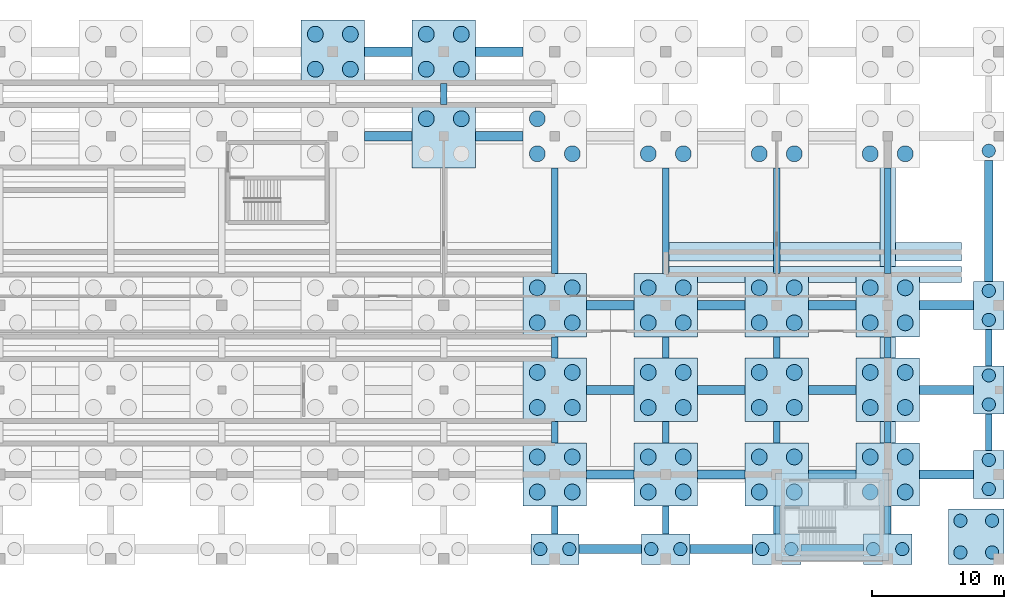
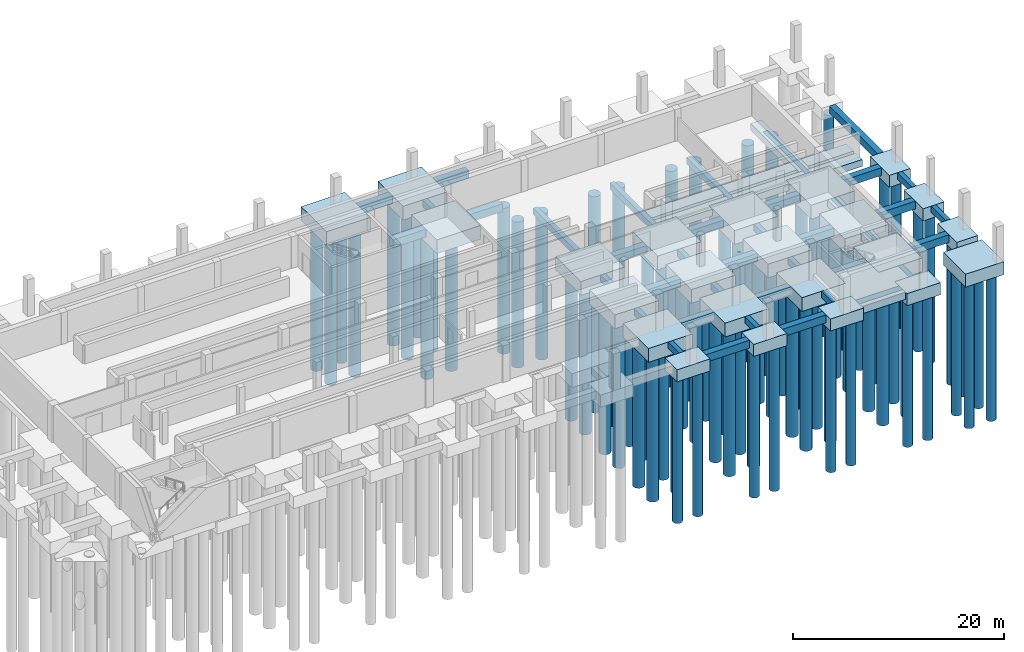
# One storey, part 3 of 9: 86 piles, 66 footings.
"""IFC4 building model written with IfcOpenShell, lengths in metres."""

from ifc_helpers import new_model, si_unit, direction, frame, origin, origin_2d, place, context, subcontext, project, spatial, polyline, rectangle, circle, outline, extrude, material, material_profile, profile_set, type_object, element, save


model = new_model("IFC4")

# Units and contexts
model_context = context("Model", 3, precision=1e-05, world=origin(), true_north=direction((0.0, 1.0)))
body_context = subcontext(model_context, "Body", "Model", "MODEL_VIEW")
ifc_project = project(units=[si_unit("LENGTHUNIT", "METRE"), si_unit("AREAUNIT", "SQUARE_METRE"), si_unit("VOLUMEUNIT", "CUBIC_METRE"), si_unit("PLANEANGLEUNIT", "RADIAN"), si_unit("MASSUNIT", "GRAM", prefix="KILO")], contexts=[model_context])

# Site, building, storey
site_placement = place(None, origin())
site = spatial("IfcSite", under=ifc_project, at=site_placement, CompositionType="ELEMENT")
building_placement = place(site_placement, origin())
building = spatial("IfcBuilding", under=site, at=building_placement, Name="Kazenagashi Tramway Depot", CompositionType="ELEMENT")
storey_placement = place(building_placement, frame((0.0, 0.0, -4.0)))
storey = spatial("IfcBuildingStorey", under=building, at=storey_placement, Name="B01", CompositionType="ELEMENT", Elevation=-4.0)

# Piles
ifc_material = material(Name="Concrete Fc30", Category="concrete")
ifc_material_profile_1 = material_profile(ifc_material, circle(Radius=0.5, at=origin_2d()), Name="PILE-1000")
ifc_profile_set_1 = profile_set([ifc_material_profile_1], Name="Concrete Fc30")
pile_type_1 = type_object("IfcPileType", Name="BP-01", PredefinedType="BORED", material=ifc_profile_set_1)
for number, where, z_axis, x_axis, name in (
    (1, (110.9, 17.25, -1.9), (0.0, 0.0, -1.0), (1.0, 0.0, 0.0), "Bored Pile BP-01 PILE-0377"),
    (2, (113.1, 17.25, -1.9), (0.0, 0.0, -1.0), (1.0, 0.0, 0.0), "Bored Pile BP-01 PILE-0378"),
    (3, (119.3, 17.25, -1.9), (0.0, 0.0, -1.0), (1.0, 0.0, 0.0), "Bored Pile BP-01 PILE-0399"),
    (4, (121.5, 17.25, -1.9), (0.0, 0.0, -1.0), (1.0, 0.0, 0.0), "Bored Pile BP-01 PILE-0400"),
    (5, (127.7, 17.25, -1.9), (0.0, 0.0, -1.0), (1.0, 0.0, 0.0), "Bored Pile BP-01 PILE-0421"),
    (6, (129.9, 17.25, -1.9), (0.0, 0.0, -1.0), (1.0, 0.0, 0.0), "Bored Pile BP-01 PILE-0422"),
    (7, (136.1, 17.25, -1.9), (0.0, 0.0, -1.0), (1.0, 0.0, 0.0), "Bored Pile BP-01 PILE-0443"),
    (8, (138.3, 17.25, -1.9), (0.0, 0.0, -1.0), (1.0, 0.0, 0.0), "Bored Pile BP-01 PILE-0444"),
):
    element("IfcPile", number, at=place(storey_placement, frame(where, z_axis=z_axis, x_axis=x_axis)), inside=storey, type_object=pile_type_1, Name=name, PredefinedType="BORED", context=body_context, shape_type="SweptSolid", body=[
        extrude(circle(Radius=0.5, at=origin_2d()), origin(), (0.0, 0.0, 1.0), 17.1),
    ])
for number, where, z_axis, x_axis, name in (
    (9, (142.7, 17.0, -2.0), (0.0, 0.0, -1.0), (1.0, 0.0, 0.0), "Bored Pile BP-01 PILE-0465"),
    (10, (145.1, 17.0, -2.0), (0.0, 0.0, -1.0), (1.0, 0.0, 0.0), "Bored Pile BP-01 PILE-0466"),
    (11, (142.7, 19.4, -2.0), (0.0, 0.0, -1.0), (1.0, 0.0, 0.0), "Bored Pile BP-01 PILE-0467"),
    (12, (145.1, 19.4, -2.0), (0.0, 0.0, -1.0), (1.0, 0.0, 0.0), "Bored Pile BP-01 PILE-0468"),
):
    element("IfcPile", number, at=place(storey_placement, frame(where, z_axis=z_axis, x_axis=x_axis)), inside=storey, type_object=pile_type_1, Name=name, PredefinedType="BORED", context=body_context, shape_type="SweptSolid", body=[
        extrude(circle(Radius=0.5, at=origin_2d()), origin(), (0.0, 0.0, 1.0), 17.0),
    ])
for number, where, z_axis, x_axis, name in (
    (13, (144.85, 21.8, -1.9), (0.0, 0.0, -1.0), (1.0, 0.0, 0.0), "Bored Pile BP-01 PILE-0469"),
    (14, (144.85, 24.0, -1.9), (0.0, 0.0, -1.0), (1.0, 0.0, 0.0), "Bored Pile BP-01 PILE-0470"),
    (15, (144.85, 28.2, -1.9), (0.0, 0.0, -1.0), (1.0, 0.0, 0.0), "Bored Pile BP-01 PILE-0471"),
    (16, (144.85, 30.4, -1.9), (0.0, 0.0, -1.0), (1.0, 0.0, 0.0), "Bored Pile BP-01 PILE-0472"),
    (17, (144.85, 34.6, -1.9), (0.0, 0.0, -1.0), (1.0, 0.0, 0.0), "Bored Pile BP-01 PILE-0473"),
    (18, (144.85, 36.8, -1.9), (0.0, 0.0, -1.0), (1.0, 0.0, 0.0), "Bored Pile BP-01 PILE-0474"),
    (19, (144.85, 47.4, -1.9), (0.0, 0.0, -1.0), (1.0, 0.0, 0.0), "Bored Pile BP-01 PILE-0477"),
):
    element("IfcPile", number, at=place(storey_placement, frame(where, z_axis=z_axis, x_axis=x_axis)), inside=storey, type_object=pile_type_1, Name=name, PredefinedType="BORED", context=body_context, shape_type="SweptSolid", body=[
        extrude(circle(Radius=0.5, at=origin_2d()), origin(), (0.0, 0.0, 1.0), 17.1),
    ])
ifc_material_profile_2 = material_profile(ifc_material, circle(Radius=0.6, at=origin_2d()), Name="PILE-1200")
ifc_profile_set_2 = profile_set([ifc_material_profile_2], Name="Concrete Fc30")
pile_type_2 = type_object("IfcPileType", Name="BP-02", PredefinedType="BORED", material=ifc_profile_set_2)
for number, where, z_axis, x_axis, name in (
    (20, (93.875, 53.575, -2.1), (0.0, 0.0, -1.0), (1.0, 0.0, 0.0), "Bored Pile BP-02 PILE-0347"),
    (21, (96.525, 53.575, -2.1), (0.0, 0.0, -1.0), (1.0, 0.0, 0.0), "Bored Pile BP-02 PILE-0348"),
    (22, (93.875, 56.225, -2.1), (0.0, 0.0, -1.0), (1.0, 0.0, 0.0), "Bored Pile BP-02 PILE-0349"),
    (23, (96.525, 56.225, -2.1), (0.0, 0.0, -1.0), (1.0, 0.0, 0.0), "Bored Pile BP-02 PILE-0350"),
    (24, (102.275, 53.575, -2.1), (0.0, 0.0, -1.0), (1.0, 0.0, 0.0), "Bored Pile BP-02 PILE-0369"),
    (25, (104.925, 53.575, -2.1), (0.0, 0.0, -1.0), (1.0, 0.0, 0.0), "Bored Pile BP-02 PILE-0370"),
    (26, (102.275, 56.225, -2.1), (0.0, 0.0, -1.0), (1.0, 0.0, 0.0), "Bored Pile BP-02 PILE-0371"),
    (27, (104.925, 56.225, -2.1), (0.0, 0.0, -1.0), (1.0, 0.0, 0.0), "Bored Pile BP-02 PILE-0372"),
    (28, (102.275, 49.825, -2.1), (0.0, 0.0, -1.0), (1.0, 0.0, 0.0), "Bored Pile BP-02 PILE-0375"),
    (29, (104.925, 49.825, -2.1), (0.0, 0.0, -1.0), (1.0, 0.0, 0.0), "Bored Pile BP-02 PILE-0376"),
    (30, (110.675, 21.575, -2.1), (0.0, 0.0, -1.0), (1.0, 0.0, 0.0), "Bored Pile BP-02 PILE-0379"),
    (31, (113.325, 21.575, -2.1), (0.0, 0.0, -1.0), (1.0, 0.0, 0.0), "Bored Pile BP-02 PILE-0380"),
    (32, (110.675, 24.225, -2.1), (0.0, 0.0, -1.0), (1.0, 0.0, 0.0), "Bored Pile BP-02 PILE-0381"),
    (33, (113.325, 24.225, -2.1), (0.0, 0.0, -1.0), (1.0, 0.0, 0.0), "Bored Pile BP-02 PILE-0382"),
    (34, (110.675, 27.975, -2.1), (0.0, 0.0, -1.0), (1.0, 0.0, 0.0), "Bored Pile BP-02 PILE-0383"),
    (35, (113.325, 27.975, -2.1), (0.0, 0.0, -1.0), (1.0, 0.0, 0.0), "Bored Pile BP-02 PILE-0384"),
    (36, (110.675, 30.625, -2.1), (0.0, 0.0, -1.0), (1.0, 0.0, 0.0), "Bored Pile BP-02 PILE-0385"),
    (37, (113.325, 30.625, -2.1), (0.0, 0.0, -1.0), (1.0, 0.0, 0.0), "Bored Pile BP-02 PILE-0386"),
    (38, (110.675, 34.375, -2.1), (0.0, 0.0, -1.0), (1.0, 0.0, 0.0), "Bored Pile BP-02 PILE-0387"),
    (39, (113.325, 34.375, -2.1), (0.0, 0.0, -1.0), (1.0, 0.0, 0.0), "Bored Pile BP-02 PILE-0388"),
    (40, (110.675, 37.025, -2.1), (0.0, 0.0, -1.0), (1.0, 0.0, 0.0), "Bored Pile BP-02 PILE-0389"),
    (41, (113.325, 37.025, -2.1), (0.0, 0.0, -1.0), (1.0, 0.0, 0.0), "Bored Pile BP-02 PILE-0390"),
    (42, (110.675, 47.175, -2.1), (0.0, 0.0, -1.0), (1.0, 0.0, 0.0), "Bored Pile BP-02 PILE-0395"),
    (43, (113.325, 47.175, -2.1), (0.0, 0.0, -1.0), (1.0, 0.0, 0.0), "Bored Pile BP-02 PILE-0396"),
    (44, (110.675, 49.825, -2.1), (0.0, 0.0, -1.0), (1.0, 0.0, 0.0), "Bored Pile BP-02 PILE-0397"),
    (45, (119.075, 21.575, -2.1), (0.0, 0.0, -1.0), (1.0, 0.0, 0.0), "Bored Pile BP-02 PILE-0401"),
    (46, (121.725, 21.575, -2.1), (0.0, 0.0, -1.0), (1.0, 0.0, 0.0), "Bored Pile BP-02 PILE-0402"),
    (47, (119.075, 24.225, -2.1), (0.0, 0.0, -1.0), (1.0, 0.0, 0.0), "Bored Pile BP-02 PILE-0403"),
    (48, (121.725, 24.225, -2.1), (0.0, 0.0, -1.0), (1.0, 0.0, 0.0), "Bored Pile BP-02 PILE-0404"),
    (49, (119.075, 27.975, -2.1), (0.0, 0.0, -1.0), (1.0, 0.0, 0.0), "Bored Pile BP-02 PILE-0405"),
    (50, (121.725, 27.975, -2.1), (0.0, 0.0, -1.0), (1.0, 0.0, 0.0), "Bored Pile BP-02 PILE-0406"),
    (51, (119.075, 30.625, -2.1), (0.0, 0.0, -1.0), (1.0, 0.0, 0.0), "Bored Pile BP-02 PILE-0407"),
    (52, (121.725, 30.625, -2.1), (0.0, 0.0, -1.0), (1.0, 0.0, 0.0), "Bored Pile BP-02 PILE-0408"),
    (53, (119.075, 34.375, -2.1), (0.0, 0.0, -1.0), (1.0, 0.0, 0.0), "Bored Pile BP-02 PILE-0409"),
    (54, (121.725, 34.375, -2.1), (0.0, 0.0, -1.0), (1.0, 0.0, 0.0), "Bored Pile BP-02 PILE-0410"),
    (55, (119.075, 37.025, -2.1), (0.0, 0.0, -1.0), (1.0, 0.0, 0.0), "Bored Pile BP-02 PILE-0411"),
    (56, (121.725, 37.025, -2.1), (0.0, 0.0, -1.0), (1.0, 0.0, 0.0), "Bored Pile BP-02 PILE-0412"),
    (57, (119.075, 47.175, -2.1), (0.0, 0.0, -1.0), (1.0, 0.0, 0.0), "Bored Pile BP-02 PILE-0417"),
    (58, (121.725, 47.175, -2.1), (0.0, 0.0, -1.0), (1.0, 0.0, 0.0), "Bored Pile BP-02 PILE-0418"),
    (59, (127.475, 21.575, -2.1), (0.0, 0.0, -1.0), (1.0, 0.0, 0.0), "Bored Pile BP-02 PILE-0423"),
    (60, (130.125, 21.575, -2.1), (0.0, 0.0, -1.0), (1.0, 0.0, 0.0), "Bored Pile BP-02 PILE-0424"),
    (61, (127.475, 24.225, -2.1), (0.0, 0.0, -1.0), (1.0, 0.0, 0.0), "Bored Pile BP-02 PILE-0425"),
    (62, (130.125, 24.225, -2.1), (0.0, 0.0, -1.0), (1.0, 0.0, 0.0), "Bored Pile BP-02 PILE-0426"),
    (63, (127.475, 27.975, -2.1), (0.0, 0.0, -1.0), (1.0, 0.0, 0.0), "Bored Pile BP-02 PILE-0427"),
    (64, (130.125, 27.975, -2.1), (0.0, 0.0, -1.0), (1.0, 0.0, 0.0), "Bored Pile BP-02 PILE-0428"),
    (65, (127.475, 30.625, -2.1), (0.0, 0.0, -1.0), (1.0, 0.0, 0.0), "Bored Pile BP-02 PILE-0429"),
    (66, (130.125, 30.625, -2.1), (0.0, 0.0, -1.0), (1.0, 0.0, 0.0), "Bored Pile BP-02 PILE-0430"),
    (67, (127.475, 34.375, -2.1), (0.0, 0.0, -1.0), (1.0, 0.0, 0.0), "Bored Pile BP-02 PILE-0431"),
    (68, (130.125, 34.375, -2.1), (0.0, 0.0, -1.0), (1.0, 0.0, 0.0), "Bored Pile BP-02 PILE-0432"),
    (69, (127.475, 37.025, -2.1), (0.0, 0.0, -1.0), (1.0, 0.0, 0.0), "Bored Pile BP-02 PILE-0433"),
    (70, (130.125, 37.025, -2.1), (0.0, 0.0, -1.0), (1.0, 0.0, 0.0), "Bored Pile BP-02 PILE-0434"),
    (71, (127.475, 47.175, -2.1), (0.0, 0.0, -1.0), (1.0, 0.0, 0.0), "Bored Pile BP-02 PILE-0439"),
    (72, (130.125, 47.175, -2.1), (0.0, 0.0, -1.0), (1.0, 0.0, 0.0), "Bored Pile BP-02 PILE-0440"),
    (73, (135.875, 21.575, -2.1), (0.0, 0.0, -1.0), (1.0, 0.0, 0.0), "Bored Pile BP-02 PILE-0445"),
    (74, (138.525, 21.575, -2.1), (0.0, 0.0, -1.0), (1.0, 0.0, 0.0), "Bored Pile BP-02 PILE-0446"),
    (75, (135.875, 24.225, -2.1), (0.0, 0.0, -1.0), (1.0, 0.0, 0.0), "Bored Pile BP-02 PILE-0447"),
    (76, (138.525, 24.225, -2.1), (0.0, 0.0, -1.0), (1.0, 0.0, 0.0), "Bored Pile BP-02 PILE-0448"),
    (77, (135.875, 27.975, -2.1), (0.0, 0.0, -1.0), (1.0, 0.0, 0.0), "Bored Pile BP-02 PILE-0449"),
    (78, (138.525, 27.975, -2.1), (0.0, 0.0, -1.0), (1.0, 0.0, 0.0), "Bored Pile BP-02 PILE-0450"),
    (79, (135.875, 30.625, -2.1), (0.0, 0.0, -1.0), (1.0, 0.0, 0.0), "Bored Pile BP-02 PILE-0451"),
    (80, (138.525, 30.625, -2.1), (0.0, 0.0, -1.0), (1.0, 0.0, 0.0), "Bored Pile BP-02 PILE-0452"),
    (81, (135.875, 34.375, -2.1), (0.0, 0.0, -1.0), (1.0, 0.0, 0.0), "Bored Pile BP-02 PILE-0453"),
    (82, (138.525, 34.375, -2.1), (0.0, 0.0, -1.0), (1.0, 0.0, 0.0), "Bored Pile BP-02 PILE-0454"),
    (83, (135.875, 37.025, -2.1), (0.0, 0.0, -1.0), (1.0, 0.0, 0.0), "Bored Pile BP-02 PILE-0455"),
    (84, (138.525, 37.025, -2.1), (0.0, 0.0, -1.0), (1.0, 0.0, 0.0), "Bored Pile BP-02 PILE-0456"),
    (85, (135.875, 47.175, -2.1), (0.0, 0.0, -1.0), (1.0, 0.0, 0.0), "Bored Pile BP-02 PILE-0461"),
    (86, (138.525, 47.175, -2.1), (0.0, 0.0, -1.0), (1.0, 0.0, 0.0), "Bored Pile BP-02 PILE-0462"),
):
    element("IfcPile", number, at=place(storey_placement, frame(where, z_axis=z_axis, x_axis=x_axis)), inside=storey, type_object=pile_type_2, Name=name, PredefinedType="BORED", context=body_context, shape_type="SweptSolid", body=[
        extrude(circle(Radius=0.6, at=origin_2d()), origin(), (0.0, 0.0, 1.0), 16.9),
    ])

# Footings
footing_type_1 = type_object("IfcFootingType", Name="FB-02", PredefinedType="FOOTING_BEAM", material=ifc_material)
footing_1_placement = place(storey_placement, frame((0.0, 0.0, -1.5)))
element("IfcFooting", 87, at=footing_1_placement, inside=storey, type_object=footing_type_1, Name="Footing Tie Beam FB-0433", PredefinedType="FOOTING_BEAM", context=body_context, shape_type="SweptSolid", body=[
    extrude(outline(polyline([(113.82, 16.9), (118.58, 16.9), (118.58, 17.6), (113.82, 17.6), (113.82, 16.9)])), origin(), (0.0, 0.0, 1.0), 0.9),
])
footing_2_placement = place(storey_placement, frame((0.0, 0.0, -1.5)))
element("IfcFooting", 88, at=footing_2_placement, inside=storey, type_object=footing_type_1, Name="Footing Tie Beam FB-0434", PredefinedType="FOOTING_BEAM", context=body_context, shape_type="SweptSolid", body=[
    extrude(outline(polyline([(122.22, 16.9), (126.98, 16.9), (126.98, 17.6), (122.22, 17.6), (122.22, 16.9)])), origin(), (0.0, 0.0, 1.0), 0.9),
])
footing_3_placement = place(storey_placement, frame((0.0, 0.0, -1.5)))
element("IfcFooting", 89, at=footing_3_placement, inside=storey, type_object=footing_type_1, Name="Footing Tie Beam FB-0435", PredefinedType="FOOTING_BEAM", context=body_context, shape_type="SweptSolid", body=[
    extrude(outline(polyline([(130.62, 16.9), (135.38, 16.9), (135.38, 17.6), (130.62, 17.6), (130.62, 16.9)])), origin(), (0.0, 0.0, 1.0), 0.9),
])
footing_4_placement = place(storey_placement, frame((0.0, 0.0, -1.5)))
element("IfcFooting", 90, at=footing_4_placement, inside=storey, type_object=footing_type_1, Name="Footing Tie Beam FB-0444", PredefinedType="FOOTING_BEAM", context=body_context, shape_type="SweptSolid", body=[
    extrude(outline(polyline([(114.4, 22.55), (118.0, 22.55), (118.0, 23.25), (114.4, 23.25), (114.4, 22.55)])), origin(), (0.0, 0.0, 1.0), 0.9),
])
footing_5_placement = place(storey_placement, frame((0.0, 0.0, -1.5)))
element("IfcFooting", 91, at=footing_5_placement, inside=storey, type_object=footing_type_1, Name="Footing Tie Beam FB-0445", PredefinedType="FOOTING_BEAM", context=body_context, shape_type="SweptSolid", body=[
    extrude(outline(polyline([(122.8, 22.55), (126.4, 22.55), (126.4, 23.25), (122.8, 23.25), (122.8, 22.55)])), origin(), (0.0, 0.0, 1.0), 0.9),
])
footing_6_placement = place(storey_placement, frame((0.0, 0.0, -1.5)))
element("IfcFooting", 92, at=footing_6_placement, inside=storey, type_object=footing_type_1, Name="Footing Tie Beam FB-0446", PredefinedType="FOOTING_BEAM", context=body_context, shape_type="SweptSolid", body=[
    extrude(outline(polyline([(131.2, 22.55), (134.8, 22.55), (134.8, 23.25), (131.2, 23.25), (131.2, 22.55)])), origin(), (0.0, 0.0, 1.0), 0.9),
])
footing_7_placement = place(storey_placement, frame((0.0, 0.0, -1.5)))
element("IfcFooting", 93, at=footing_7_placement, inside=storey, type_object=footing_type_1, Name="Footing Tie Beam FB-0447", PredefinedType="FOOTING_BEAM", context=body_context, shape_type="SweptSolid", body=[
    extrude(outline(polyline([(139.6, 22.55), (143.7, 22.55), (143.7, 23.25), (139.6, 23.25), (139.6, 22.55)])), origin(), (0.0, 0.0, 1.0), 0.9),
])
footing_8_placement = place(storey_placement, frame((0.0, 0.0, -1.5)))
element("IfcFooting", 94, at=footing_8_placement, inside=storey, type_object=footing_type_1, Name="Footing Tie Beam FB-0456", PredefinedType="FOOTING_BEAM", context=body_context, shape_type="SweptSolid", body=[
    extrude(outline(polyline([(114.4, 28.95), (118.0, 28.95), (118.0, 29.65), (114.4, 29.65), (114.4, 28.95)])), origin(), (0.0, 0.0, 1.0), 0.9),
])
footing_9_placement = place(storey_placement, frame((0.0, 0.0, -1.5)))
element("IfcFooting", 95, at=footing_9_placement, inside=storey, type_object=footing_type_1, Name="Footing Tie Beam FB-0457", PredefinedType="FOOTING_BEAM", context=body_context, shape_type="SweptSolid", body=[
    extrude(outline(polyline([(122.8, 28.95), (126.4, 28.95), (126.4, 29.65), (122.8, 29.65), (122.8, 28.95)])), origin(), (0.0, 0.0, 1.0), 0.9),
])
footing_10_placement = place(storey_placement, frame((0.0, 0.0, -1.5)))
element("IfcFooting", 96, at=footing_10_placement, inside=storey, type_object=footing_type_1, Name="Footing Tie Beam FB-0458", PredefinedType="FOOTING_BEAM", context=body_context, shape_type="SweptSolid", body=[
    extrude(outline(polyline([(131.2, 28.95), (134.8, 28.95), (134.8, 29.65), (131.2, 29.65), (131.2, 28.95)])), origin(), (0.0, 0.0, 1.0), 0.9),
])
footing_11_placement = place(storey_placement, frame((0.0, 0.0, -1.5)))
element("IfcFooting", 97, at=footing_11_placement, inside=storey, type_object=footing_type_1, Name="Footing Tie Beam FB-0459", PredefinedType="FOOTING_BEAM", context=body_context, shape_type="SweptSolid", body=[
    extrude(outline(polyline([(139.6, 28.95), (143.7, 28.95), (143.7, 29.65), (139.6, 29.65), (139.6, 28.95)])), origin(), (0.0, 0.0, 1.0), 0.9),
])
footing_12_placement = place(storey_placement, frame((0.0, 0.0, -1.5)))
element("IfcFooting", 98, at=footing_12_placement, inside=storey, type_object=footing_type_1, Name="Footing Tie Beam FB-0468", PredefinedType="FOOTING_BEAM", context=body_context, shape_type="SweptSolid", body=[
    extrude(outline(polyline([(114.4, 35.35), (118.0, 35.35), (118.0, 36.05), (114.4, 36.05), (114.4, 35.35)])), origin(), (0.0, 0.0, 1.0), 0.9),
])
footing_13_placement = place(storey_placement, frame((0.0, 0.0, -1.5)))
element("IfcFooting", 99, at=footing_13_placement, inside=storey, type_object=footing_type_1, Name="Footing Tie Beam FB-0469", PredefinedType="FOOTING_BEAM", context=body_context, shape_type="SweptSolid", body=[
    extrude(outline(polyline([(122.8, 35.35), (126.4, 35.35), (126.4, 36.05), (122.8, 36.05), (122.8, 35.35)])), origin(), (0.0, 0.0, 1.0), 0.9),
])
footing_14_placement = place(storey_placement, frame((0.0, 0.0, -1.5)))
element("IfcFooting", 100, at=footing_14_placement, inside=storey, type_object=footing_type_1, Name="Footing Tie Beam FB-0470", PredefinedType="FOOTING_BEAM", context=body_context, shape_type="SweptSolid", body=[
    extrude(outline(polyline([(131.2, 35.35), (134.8, 35.35), (134.8, 36.05), (131.2, 36.05), (131.2, 35.35)])), origin(), (0.0, 0.0, 1.0), 0.9),
])
footing_15_placement = place(storey_placement, frame((0.0, 0.0, -1.5)))
element("IfcFooting", 101, at=footing_15_placement, inside=storey, type_object=footing_type_1, Name="Footing Tie Beam FB-0471", PredefinedType="FOOTING_BEAM", context=body_context, shape_type="SweptSolid", body=[
    extrude(outline(polyline([(139.6, 35.35), (143.7, 35.35), (143.7, 36.05), (139.6, 36.05), (139.6, 35.35)])), origin(), (0.0, 0.0, 1.0), 0.9),
])
footing_16_placement = place(storey_placement, frame((0.0, 0.0, -1.5)))
element("IfcFooting", 102, at=footing_16_placement, inside=storey, type_object=footing_type_1, Name="Footing Tie Beam FB-0478", PredefinedType="FOOTING_BEAM", context=body_context, shape_type="SweptSolid", body=[
    extrude(outline(polyline([(97.6, 48.15), (101.2, 48.15), (101.2, 48.85), (97.6, 48.85), (97.6, 48.15)])), origin(), (0.0, 0.0, 1.0), 0.9),
])
footing_17_placement = place(storey_placement, frame((0.0, 0.0, -1.5)))
element("IfcFooting", 103, at=footing_17_placement, inside=storey, type_object=footing_type_1, Name="Footing Tie Beam FB-0479", PredefinedType="FOOTING_BEAM", context=body_context, shape_type="SweptSolid", body=[
    extrude(outline(polyline([(106.0, 48.15), (109.6, 48.15), (109.6, 48.85), (106.0, 48.85), (106.0, 48.15)])), origin(), (0.0, 0.0, 1.0), 0.9),
])
footing_18_placement = place(storey_placement, frame((0.0, 0.0, -1.5)))
element("IfcFooting", 104, at=footing_18_placement, inside=storey, type_object=footing_type_1, Name="Footing Tie Beam FB-0490", PredefinedType="FOOTING_BEAM", context=body_context, shape_type="SweptSolid", body=[
    extrude(outline(polyline([(97.6, 54.55), (101.2, 54.55), (101.2, 55.25), (97.6, 55.25), (97.6, 54.55)])), origin(), (0.0, 0.0, 1.0), 0.9),
])
footing_19_placement = place(storey_placement, frame((0.0, 0.0, -1.5)))
element("IfcFooting", 105, at=footing_19_placement, inside=storey, type_object=footing_type_1, Name="Footing Tie Beam FB-0491", PredefinedType="FOOTING_BEAM", context=body_context, shape_type="SweptSolid", body=[
    extrude(outline(polyline([(106.0, 54.55), (109.6, 54.55), (109.6, 55.25), (106.0, 55.25), (106.0, 54.55)])), origin(), (0.0, 0.0, 1.0), 0.9),
])
footing_type_2 = type_object("IfcFootingType", Name="FB-03", PredefinedType="FOOTING_BEAM", material=ifc_material)
footing_20_placement = place(storey_placement, frame((0.0, 0.0, -1.35)))
element("IfcFooting", 106, at=footing_20_placement, inside=storey, type_object=footing_type_2, Name="Footing Tie Beam FB-0534", PredefinedType="FOOTING_BEAM", context=body_context, shape_type="SweptSolid", body=[
    extrude(outline(polyline([(103.35, 50.9), (103.85, 50.9), (103.85, 52.5), (103.35, 52.5), (103.35, 50.9)])), origin(), (0.0, 0.0, 1.0), 0.75),
])
footing_21_placement = place(storey_placement, frame((0.0, 0.0, -1.35)))
element("IfcFooting", 107, at=footing_21_placement, inside=storey, type_object=footing_type_2, Name="Footing Tie Beam FB-0535", PredefinedType="FOOTING_BEAM", context=body_context, shape_type="SweptSolid", body=[
    extrude(outline(polyline([(111.75, 18.4), (112.25, 18.4), (112.25, 20.5), (111.75, 20.5), (111.75, 18.4)])), origin(), (0.0, 0.0, 1.0), 0.75),
])
footing_22_placement = place(storey_placement, frame((0.0, 0.0, -1.35)))
element("IfcFooting", 108, at=footing_22_placement, inside=storey, type_object=footing_type_2, Name="Footing Tie Beam FB-0536", PredefinedType="FOOTING_BEAM", context=body_context, shape_type="SweptSolid", body=[
    extrude(outline(polyline([(111.75, 25.3), (112.25, 25.3), (112.25, 26.9), (111.75, 26.9), (111.75, 25.3)])), origin(), (0.0, 0.0, 1.0), 0.75),
])
footing_23_placement = place(storey_placement, frame((0.0, 0.0, -1.35)))
element("IfcFooting", 109, at=footing_23_placement, inside=storey, type_object=footing_type_2, Name="Footing Tie Beam FB-0537", PredefinedType="FOOTING_BEAM", context=body_context, shape_type="SweptSolid", body=[
    extrude(outline(polyline([(111.75, 31.7), (112.25, 31.7), (112.25, 33.3), (111.75, 33.3), (111.75, 31.7)])), origin(), (0.0, 0.0, 1.0), 0.75),
])
footing_24_placement = place(storey_placement, frame((0.0, 0.0, -1.35)))
element("IfcFooting", 110, at=footing_24_placement, inside=storey, type_object=footing_type_2, Name="Footing Tie Beam FB-0538", PredefinedType="FOOTING_BEAM", context=body_context, shape_type="SweptSolid", body=[
    extrude(outline(polyline([(111.75, 38.1), (112.25, 38.1), (112.25, 46.1), (111.75, 46.1), (111.75, 38.1)])), origin(), (0.0, 0.0, 1.0), 0.75),
])
footing_25_placement = place(storey_placement, frame((0.0, 0.0, -1.35)))
element("IfcFooting", 111, at=footing_25_placement, inside=storey, type_object=footing_type_2, Name="Footing Tie Beam FB-0540", PredefinedType="FOOTING_BEAM", context=body_context, shape_type="SweptSolid", body=[
    extrude(outline(polyline([(120.15, 18.4), (120.65, 18.4), (120.65, 20.5), (120.15, 20.5), (120.15, 18.4)])), origin(), (0.0, 0.0, 1.0), 0.75),
])
footing_26_placement = place(storey_placement, frame((0.0, 0.0, -1.35)))
element("IfcFooting", 112, at=footing_26_placement, inside=storey, type_object=footing_type_2, Name="Footing Tie Beam FB-0541", PredefinedType="FOOTING_BEAM", context=body_context, shape_type="SweptSolid", body=[
    extrude(outline(polyline([(120.15, 25.3), (120.65, 25.3), (120.65, 26.9), (120.15, 26.9), (120.15, 25.3)])), origin(), (0.0, 0.0, 1.0), 0.75),
])
footing_27_placement = place(storey_placement, frame((0.0, 0.0, -1.35)))
element("IfcFooting", 113, at=footing_27_placement, inside=storey, type_object=footing_type_2, Name="Footing Tie Beam FB-0542", PredefinedType="FOOTING_BEAM", context=body_context, shape_type="SweptSolid", body=[
    extrude(outline(polyline([(120.15, 31.7), (120.65, 31.7), (120.65, 33.3), (120.15, 33.3), (120.15, 31.7)])), origin(), (0.0, 0.0, 1.0), 0.75),
])
footing_28_placement = place(storey_placement, frame((0.0, 0.0, -1.35)))
element("IfcFooting", 114, at=footing_28_placement, inside=storey, type_object=footing_type_2, Name="Footing Tie Beam FB-0543", PredefinedType="FOOTING_BEAM", context=body_context, shape_type="SweptSolid", body=[
    extrude(outline(polyline([(120.15, 38.1), (120.65, 38.1), (120.65, 46.1), (120.15, 46.1), (120.15, 38.1)])), origin(), (0.0, 0.0, 1.0), 0.75),
])
footing_29_placement = place(storey_placement, frame((0.0, 0.0, -1.35)))
element("IfcFooting", 115, at=footing_29_placement, inside=storey, type_object=footing_type_2, Name="Footing Tie Beam FB-0545", PredefinedType="FOOTING_BEAM", context=body_context, shape_type="SweptSolid", body=[
    extrude(outline(polyline([(128.55, 18.4), (129.05, 18.4), (129.05, 20.5), (128.55, 20.5), (128.55, 18.4)])), origin(), (0.0, 0.0, 1.0), 0.75),
])
footing_30_placement = place(storey_placement, frame((0.0, 0.0, -1.35)))
element("IfcFooting", 116, at=footing_30_placement, inside=storey, type_object=footing_type_2, Name="Footing Tie Beam FB-0546", PredefinedType="FOOTING_BEAM", context=body_context, shape_type="SweptSolid", body=[
    extrude(outline(polyline([(128.55, 25.3), (129.05, 25.3), (129.05, 26.9), (128.55, 26.9), (128.55, 25.3)])), origin(), (0.0, 0.0, 1.0), 0.75),
])
footing_31_placement = place(storey_placement, frame((0.0, 0.0, -1.35)))
element("IfcFooting", 117, at=footing_31_placement, inside=storey, type_object=footing_type_2, Name="Footing Tie Beam FB-0547", PredefinedType="FOOTING_BEAM", context=body_context, shape_type="SweptSolid", body=[
    extrude(outline(polyline([(128.55, 31.7), (129.05, 31.7), (129.05, 33.3), (128.55, 33.3), (128.55, 31.7)])), origin(), (0.0, 0.0, 1.0), 0.75),
])
footing_32_placement = place(storey_placement, frame((0.0, 0.0, -1.35)))
element("IfcFooting", 118, at=footing_32_placement, inside=storey, type_object=footing_type_2, Name="Footing Tie Beam FB-0548", PredefinedType="FOOTING_BEAM", context=body_context, shape_type="SweptSolid", body=[
    extrude(outline(polyline([(128.55, 38.1), (129.05, 38.1), (129.05, 46.1), (128.55, 46.1), (128.55, 38.1)])), origin(), (0.0, 0.0, 1.0), 0.75),
])
footing_33_placement = place(storey_placement, frame((0.0, 0.0, -1.35)))
element("IfcFooting", 119, at=footing_33_placement, inside=storey, type_object=footing_type_2, Name="Footing Tie Beam FB-0550", PredefinedType="FOOTING_BEAM", context=body_context, shape_type="SweptSolid", body=[
    extrude(outline(polyline([(136.95, 18.4), (137.45, 18.4), (137.45, 20.5), (136.95, 20.5), (136.95, 18.4)])), origin(), (0.0, 0.0, 1.0), 0.75),
])
footing_34_placement = place(storey_placement, frame((0.0, 0.0, -1.35)))
element("IfcFooting", 120, at=footing_34_placement, inside=storey, type_object=footing_type_2, Name="Footing Tie Beam FB-0551", PredefinedType="FOOTING_BEAM", context=body_context, shape_type="SweptSolid", body=[
    extrude(outline(polyline([(136.95, 25.3), (137.45, 25.3), (137.45, 26.9), (136.95, 26.9), (136.95, 25.3)])), origin(), (0.0, 0.0, 1.0), 0.75),
])
footing_35_placement = place(storey_placement, frame((0.0, 0.0, -1.35)))
element("IfcFooting", 121, at=footing_35_placement, inside=storey, type_object=footing_type_2, Name="Footing Tie Beam FB-0552", PredefinedType="FOOTING_BEAM", context=body_context, shape_type="SweptSolid", body=[
    extrude(outline(polyline([(136.95, 31.7), (137.45, 31.7), (137.45, 33.3), (136.95, 33.3), (136.95, 31.7)])), origin(), (0.0, 0.0, 1.0), 0.75),
])
footing_36_placement = place(storey_placement, frame((0.0, 0.0, -1.35)))
element("IfcFooting", 122, at=footing_36_placement, inside=storey, type_object=footing_type_2, Name="Footing Tie Beam FB-0553", PredefinedType="FOOTING_BEAM", context=body_context, shape_type="SweptSolid", body=[
    extrude(outline(polyline([(136.95, 38.1), (137.45, 38.1), (137.45, 46.1), (136.95, 46.1), (136.95, 38.1)])), origin(), (0.0, 0.0, 1.0), 0.75),
])
footing_37_placement = place(storey_placement, frame((0.0, 0.0, -1.35)))
element("IfcFooting", 123, at=footing_37_placement, inside=storey, type_object=footing_type_2, Name="Footing Tie Beam FB-0555", PredefinedType="FOOTING_BEAM", context=body_context, shape_type="SweptSolid", body=[
    extrude(outline(polyline([(144.6, 24.72), (145.1, 24.72), (145.1, 27.48), (144.6, 27.48), (144.6, 24.72)])), origin(), (0.0, 0.0, 1.0), 0.75),
])
footing_38_placement = place(storey_placement, frame((0.0, 0.0, -1.35)))
element("IfcFooting", 124, at=footing_38_placement, inside=storey, type_object=footing_type_2, Name="Footing Tie Beam FB-0556", PredefinedType="FOOTING_BEAM", context=body_context, shape_type="SweptSolid", body=[
    extrude(outline(polyline([(144.6, 31.12), (145.1, 31.12), (145.1, 33.88), (144.6, 33.88), (144.6, 31.12)])), origin(), (0.0, 0.0, 1.0), 0.75),
])
footing_type_3 = type_object("IfcFootingType", Name="FB-04", PredefinedType="FOOTING_BEAM", material=ifc_material)
footing_39_placement = place(storey_placement, frame((0.0, 0.0, -1.45)))
element("IfcFooting", 125, at=footing_39_placement, inside=storey, type_object=footing_type_3, Name="Footing Tie Beam FB-0557", PredefinedType="FOOTING_BEAM", context=body_context, shape_type="SweptSolid", body=[
    extrude(outline(polyline([(144.525, 37.52), (145.175, 37.52), (145.175, 46.68), (144.525, 46.68), (144.525, 37.52)])), origin(), (0.0, 0.0, 1.0), 0.85),
])
footing_type_4 = type_object("IfcFootingType", Name="PC-06", PredefinedType="PILE_CAP", material=ifc_material)
for number, where, z_axis, x_axis, name in (
    (126, (95.2, 54.9, -2.2), (0.0, 0.0, 1.0), (1.0, 0.0, 0.0), "Pile Cap PC-06 CAP-126"),
    (127, (103.6, 54.9, -2.2), (0.0, 0.0, 1.0), (1.0, 0.0, 0.0), "Pile Cap PC-06 CAP-132"),
    (128, (103.6, 48.5, -2.2), (0.0, 0.0, 1.0), (1.0, 0.0, 0.0), "Pile Cap PC-06 CAP-133"),
    (129, (112.0, 22.9, -2.2), (0.0, 0.0, 1.0), (1.0, 0.0, 0.0), "Pile Cap PC-06 CAP-135"),
    (130, (112.0, 29.3, -2.2), (0.0, 0.0, 1.0), (1.0, 0.0, 0.0), "Pile Cap PC-06 CAP-136"),
    (131, (112.0, 35.7, -2.2), (0.0, 0.0, 1.0), (1.0, 0.0, 0.0), "Pile Cap PC-06 CAP-137"),
    (132, (120.4, 22.9, -2.2), (0.0, 0.0, 1.0), (1.0, 0.0, 0.0), "Pile Cap PC-06 CAP-141"),
    (133, (120.4, 29.3, -2.2), (0.0, 0.0, 1.0), (1.0, 0.0, 0.0), "Pile Cap PC-06 CAP-142"),
    (134, (120.4, 35.7, -2.2), (0.0, 0.0, 1.0), (1.0, 0.0, 0.0), "Pile Cap PC-06 CAP-143"),
    (135, (128.8, 22.9, -2.2), (0.0, 0.0, 1.0), (1.0, 0.0, 0.0), "Pile Cap PC-06 CAP-147"),
    (136, (128.8, 29.3, -2.2), (0.0, 0.0, 1.0), (1.0, 0.0, 0.0), "Pile Cap PC-06 CAP-148"),
    (137, (128.8, 35.7, -2.2), (0.0, 0.0, 1.0), (1.0, 0.0, 0.0), "Pile Cap PC-06 CAP-149"),
    (138, (137.2, 22.9, -2.2), (0.0, 0.0, 1.0), (1.0, 0.0, 0.0), "Pile Cap PC-06 CAP-153"),
    (139, (137.2, 29.3, -2.2), (0.0, 0.0, 1.0), (1.0, 0.0, 0.0), "Pile Cap PC-06 CAP-154"),
    (140, (137.2, 35.7, -2.2), (0.0, 0.0, 1.0), (1.0, 0.0, 0.0), "Pile Cap PC-06 CAP-155"),
):
    element("IfcFooting", number, at=place(storey_placement, frame(where, z_axis=z_axis, x_axis=x_axis)), inside=storey, type_object=footing_type_4, Name=name, PredefinedType="PILE_CAP", context=body_context, shape_type="SweptSolid", body=[
        extrude(rectangle(XDim=4.8, YDim=4.8, at=origin_2d()), origin(), (0.0, 0.0, 1.0), 1.6),
    ])
footing_type_5 = type_object("IfcFootingType", Name="PC-08", PredefinedType="PILE_CAP", material=ifc_material)
footing_40_placement = place(storey_placement, frame((143.9, 18.2, -2.1), z_axis=(0.0, 0.0, 1.0), x_axis=(1.0, 0.0, 0.0)))
element("IfcFooting", 141, at=footing_40_placement, inside=storey, type_object=footing_type_5, Name="Pile Cap PC-08 CAP-158", PredefinedType="PILE_CAP", context=body_context, shape_type="SweptSolid", body=[
    extrude(rectangle(XDim=4.2, YDim=4.2, at=origin_2d()), origin(), (0.0, 0.0, 1.0), 1.5),
])
footing_type_6 = type_object("IfcFootingType", Name="PC-11", PredefinedType="PILE_CAP", material=ifc_material)
for number, where, z_axis, x_axis, name in (
    (142, (144.85, 22.9, -2.0), (0.0, 0.0, 1.0), (1.0, 0.0, 0.0), "Pile Cap PC-11 CAP-159"),
    (143, (144.85, 29.3, -2.0), (0.0, 0.0, 1.0), (1.0, 0.0, 0.0), "Pile Cap PC-11 CAP-160"),
    (144, (144.85, 35.7, -2.0), (0.0, 0.0, 1.0), (1.0, 0.0, 0.0), "Pile Cap PC-11 CAP-161"),
):
    element("IfcFooting", number, at=place(storey_placement, frame(where, z_axis=z_axis, x_axis=x_axis)), inside=storey, type_object=footing_type_6, Name=name, PredefinedType="PILE_CAP", context=body_context, shape_type="SweptSolid", body=[
        extrude(rectangle(XDim=2.3, YDim=3.64, at=origin_2d()), origin(), (0.0, 0.0, 1.0), 1.4),
    ])
footing_type_7 = type_object("IfcFootingType", Name="PC-12", PredefinedType="PILE_CAP", material=ifc_material)
for number, where, z_axis, x_axis, name in (
    (145, (112.0, 17.25, -2.0), (0.0, 0.0, 1.0), (1.0, 0.0, 0.0), "Pile Cap PC-12 CAP-134"),
    (146, (120.4, 17.25, -2.0), (0.0, 0.0, 1.0), (1.0, 0.0, 0.0), "Pile Cap PC-12 CAP-140"),
    (147, (128.8, 17.25, -2.0), (0.0, 0.0, 1.0), (1.0, 0.0, 0.0), "Pile Cap PC-12 CAP-146"),
    (148, (137.2, 17.25, -2.0), (0.0, 0.0, 1.0), (1.0, 0.0, 0.0), "Pile Cap PC-12 CAP-152"),
):
    element("IfcFooting", number, at=place(storey_placement, frame(where, z_axis=z_axis, x_axis=x_axis)), inside=storey, type_object=footing_type_7, Name=name, PredefinedType="PILE_CAP", context=body_context, shape_type="SweptSolid", body=[
        extrude(rectangle(XDim=3.64, YDim=2.3, at=origin_2d()), origin(), (0.0, 0.0, 1.0), 1.4),
    ])
footing_type_8 = type_object("IfcFootingType", Name="SF-01", PredefinedType="STRIP_FOOTING", material=ifc_material)
footing_41_placement = place(storey_placement, frame((0.0, 0.0, -1.4)))
element("IfcFooting", 149, at=footing_41_placement, inside=storey, type_object=footing_type_8, Name="Pit Foundation Strip Footing SF-011", PredefinedType="STRIP_FOOTING", context=body_context, shape_type="SweptSolid", body=[
    extrude(outline(polyline([(120.4, 37.45), (142.8, 37.45), (142.8, 38.65), (120.4, 38.65), (120.4, 37.45)])), origin(), (0.0, 0.0, 1.0), 0.8),
])
footing_42_placement = place(storey_placement, frame((0.0, 0.0, -1.4)))
element("IfcFooting", 150, at=footing_42_placement, inside=storey, type_object=footing_type_8, Name="Retaining Wall Strip Footing SF-027", PredefinedType="STRIP_FOOTING", context=body_context, shape_type="SweptSolid", body=[
    extrude(outline(polyline([(136.6, 23.5), (137.8, 23.5), (137.8, 47.9), (136.6, 47.9), (136.6, 23.5)])), origin(), (0.0, 0.0, 1.0), 0.8),
])
footing_type_9 = type_object("IfcFootingType", Name="SF-02", PredefinedType="STRIP_FOOTING", material=ifc_material)
footing_43_placement = place(storey_placement, frame((0.0, 0.0, -1.5)))
element("IfcFooting", 151, at=footing_43_placement, inside=storey, type_object=footing_type_9, Name="Pit Foundation Strip Footing SF-012", PredefinedType="STRIP_FOOTING", context=body_context, shape_type="SweptSolid", body=[
    extrude(outline(polyline([(120.4, 39.05), (142.8, 39.05), (142.8, 40.45), (120.4, 40.45), (120.4, 39.05)])), origin(), (0.0, 0.0, 1.0), 0.9),
])
footing_44_placement = place(storey_placement, frame((0.0, 0.0, -1.45)))
element("IfcFooting", 152, at=footing_44_placement, inside=storey, type_object=footing_type_9, Name="Core Foundation Mat Strip SF-018", PredefinedType="STRIP_FOOTING", context=body_context, shape_type="SweptSolid", body=[
    extrude(outline(polyline([(128.7, 16.4), (137.3, 16.4), (137.3, 23.0), (128.7, 23.0), (128.7, 16.4)])), origin(), (0.0, 0.0, 1.0), 0.85),
])

save(model, "model.ifc")
